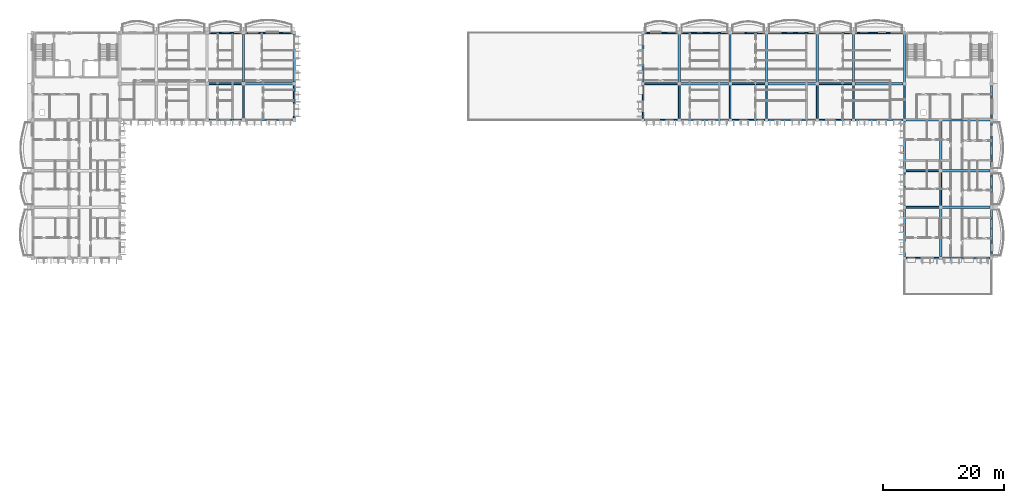
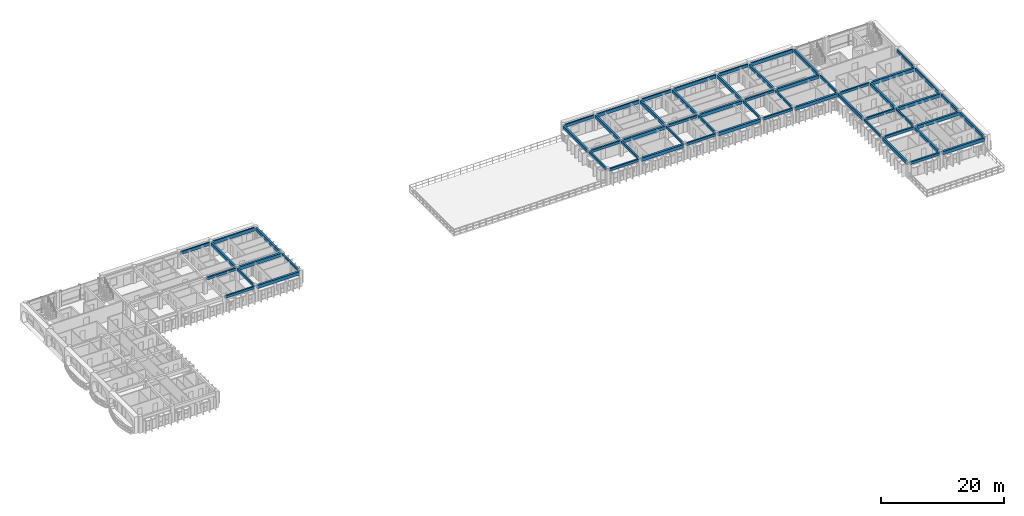
# One storey, part 6 of 45: 60 beams.
"""IFC4 building model written with IfcOpenShell, lengths in metres."""

from ifc_helpers import new_model, si_unit, direction, frame, origin, origin_2d, place, context, subcontext, project, spatial, rectangle, extrude, material, material_profile, profile_set, type_object, element, save


model = new_model("IFC4")

# Units and contexts
model_context = context("Model", 3, precision=1e-05, world=origin(), true_north=direction((0.0, 1.0)))
body_context = subcontext(model_context, "Body", "Model", "MODEL_VIEW")
ifc_project = project(units=[si_unit("LENGTHUNIT", "METRE"), si_unit("AREAUNIT", "SQUARE_METRE"), si_unit("VOLUMEUNIT", "CUBIC_METRE"), si_unit("PLANEANGLEUNIT", "RADIAN"), si_unit("MASSUNIT", "GRAM", prefix="KILO"), si_unit("THERMODYNAMICTEMPERATUREUNIT", "KELVIN")], contexts=[model_context])

# Site, building, storey
site_placement = place(None, origin())
site = spatial("IfcSite", under=ifc_project, at=site_placement, CompositionType="ELEMENT")
building_placement = place(site_placement, origin())
building = spatial("IfcBuilding", under=site, at=building_placement, Name="Thalorik Housing Commons", CompositionType="ELEMENT")
storey_placement = place(building_placement, frame((0.0, 0.0, 34.5)))
storey = spatial("IfcBuildingStorey", under=building, at=storey_placement, Name="L10", CompositionType="ELEMENT", Elevation=34.5)

# Beams
ifc_material = material(Name="Precast concrete C40/50", Category="concrete")
ifc_material_profile_1 = material_profile(ifc_material, rectangle(XDim=0.280029296875, YDim=0.449951171875, at=origin_2d()), Name="PC 280x450", Category="concrete")
ifc_profile_set_1 = profile_set([ifc_material_profile_1], Name="Precast concrete C40/50")
beam_type_1 = type_object("IfcBeamType", Name="STR-BM-PC280x450", PredefinedType="BEAM", material=ifc_profile_set_1)
for number, where, z_axis, x_axis, name in (
    (1, (43.199951171875, 109.449951171875, 2.81494140625), (0.0, 1.0, 0.0), (-1.0, 0.0, 0.0), "L10 Beam B-450"),
    (2, (51.60009765625, 109.449951171875, 2.81494140625), (0.0, 1.0, 0.0), (-1.0, 0.0, 0.0), "L10 Beam B-450"),
):
    element("IfcBeam", number, at=place(storey_placement, frame(where, z_axis=z_axis, x_axis=x_axis)), inside=storey, type_object=beam_type_1, Name=name, PredefinedType="BEAM", context=body_context, shape_type="SweptSolid", body=[
        extrude(rectangle(XDim=0.280029296875, YDim=0.449951171875, at=origin_2d()), origin(), (0.0, 0.0, 1.0), 5.5),
    ])
for number, where, z_axis, x_axis, name in (
    (3, (109.199951171875, 109.425048828125, 2.81494140625), (0.0, 1.0, 0.0), (-1.0, 0.0, 0.0), "L10 Beam B-450"),
    (4, (115.199951171875, 109.425048828125, 2.81494140625), (0.0, 1.0, 0.0), (-1.0, 0.0, 0.0), "L10 Beam B-450"),
    (5, (123.60009765625, 109.425048828125, 2.81494140625), (0.0, 1.0, 0.0), (-1.0, 0.0, 0.0), "L10 Beam B-450"),
    (6, (129.60009765625, 109.425048828125, 2.81494140625), (0.0, 1.0, 0.0), (-1.0, 0.0, 0.0), "L10 Beam B-450"),
    (7, (138.0, 109.425048828125, 2.81494140625), (0.0, 1.0, 0.0), (-1.0, 0.0, 0.0), "L10 Beam B-450"),
    (8, (144.0, 109.425048828125, 2.81494140625), (0.0, 1.0, 0.0), (-1.0, 0.0, 0.0), "L10 Beam B-450"),
    (9, (152.39990234375, 95.02490234375, 2.81494140625), (0.0, 1.0, 0.0), (-1.0, 0.0, 0.0), "L10 Beam B-450"),
    (10, (152.39990234375, 109.425048828125, 2.81494140625), (0.0, 1.0, 0.0), (-1.0, 0.0, 0.0), "L10 Beam B-450"),
    (11, (158.39990234375, 95.02490234375, 2.81494140625), (0.0, 1.0, 0.0), (-1.0, 0.0, 0.0), "L10 Beam B-450"),
):
    element("IfcBeam", number, at=place(storey_placement, frame(where, z_axis=z_axis, x_axis=x_axis)), inside=storey, type_object=beam_type_1, Name=name, PredefinedType="BEAM", context=body_context, shape_type="SweptSolid", body=[
        extrude(rectangle(XDim=0.280029296875, YDim=0.449951171875, at=origin_2d()), origin(), (0.0, 0.0, 1.0), 5.550048828125),
    ])
ifc_material_profile_2 = material_profile(ifc_material, rectangle(XDim=0.300048828125, YDim=0.5, at=origin_2d()), Name="PC 300x500", Category="concrete")
ifc_profile_set_2 = profile_set([ifc_material_profile_2], Name="Precast concrete C40/50")
beam_type_2 = type_object("IfcBeamType", Name="STR-BM-PC300x500", PredefinedType="BEAM", material=ifc_profile_set_2)
for number, where, z_axis, x_axis, name in (
    (12, (152.625, 86.39990234375, 2.7900390625), (1.0, 0.0, 0.0), (0.0, 1.0, 0.0), "L10 Beam B-500"),
    (13, (152.625, 94.800048828125, 2.7900390625), (1.0, 0.0, 0.0), (0.0, 1.0, 0.0), "L10 Beam B-500"),
    (14, (152.625, 100.800048828125, 2.7900390625), (1.0, 0.0, 0.0), (0.0, 1.0, 0.0), "L10 Beam B-500"),
):
    element("IfcBeam", number, at=place(storey_placement, frame(where, z_axis=z_axis, x_axis=x_axis)), inside=storey, type_object=beam_type_2, Name=name, PredefinedType="BEAM", context=body_context, shape_type="SweptSolid", body=[
        extrude(rectangle(XDim=0.300048828125, YDim=0.5, at=origin_2d()), origin(), (0.0, 0.0, 1.0), 5.550048828125),
    ])
beam_1_placement = place(storey_placement, frame((37.449951171875, 109.199951171875, 2.7900390625), z_axis=(1.0, 0.0, 0.0), x_axis=(0.0, 1.0, 0.0)))
element("IfcBeam", 15, at=beam_1_placement, inside=storey, type_object=beam_type_2, Name="L10 Beam B-500", PredefinedType="BEAM", context=body_context, shape_type="SweptSolid", body=[
    extrude(rectangle(XDim=0.300048828125, YDim=0.5, at=origin_2d()), origin(), (0.0, 0.0, 1.0), 5.5),
])
for number, where, z_axis, x_axis, name in (
    (16, (109.425048828125, 109.199951171875, 2.7900390625), (1.0, 0.0, 0.0), (0.0, 1.0, 0.0), "L10 Beam B-500"),
    (17, (123.824951171875, 109.199951171875, 2.7900390625), (1.0, 0.0, 0.0), (0.0, 1.0, 0.0), "L10 Beam B-500"),
):
    element("IfcBeam", number, at=place(storey_placement, frame(where, z_axis=z_axis, x_axis=x_axis)), inside=storey, type_object=beam_type_2, Name=name, PredefinedType="BEAM", context=body_context, shape_type="SweptSolid", body=[
        extrude(rectangle(XDim=0.300048828125, YDim=0.5, at=origin_2d()), origin(), (0.0, 0.0, 1.0), 5.550048828125),
    ])
beam_2_placement = place(storey_placement, frame((138.22509765625, 109.199951171875, 2.7900390625), z_axis=(1.0, 0.0, 0.0), x_axis=(0.0, 1.0, 0.0)))
element("IfcBeam", 18, at=beam_2_placement, inside=storey, type_object=beam_type_2, Name="L10 Beam B-500", PredefinedType="BEAM", context=body_context, shape_type="SweptSolid", body=[
    extrude(rectangle(XDim=0.300048828125, YDim=0.5, at=origin_2d()), origin(), (0.0, 0.0, 1.0), 5.5498046875),
])
beam_3_placement = place(storey_placement, frame((152.625, 109.199951171875, 2.7900390625), z_axis=(1.0, 0.0, 0.0), x_axis=(0.0, 1.0, 0.0)))
element("IfcBeam", 19, at=beam_3_placement, inside=storey, type_object=beam_type_2, Name="L10 Beam B-500", PredefinedType="BEAM", context=body_context, shape_type="SweptSolid", body=[
    extrude(rectangle(XDim=0.300048828125, YDim=0.5, at=origin_2d()), origin(), (0.0, 0.0, 1.0), 5.550048828125),
])
beam_4_placement = place(storey_placement, frame((37.449951171875, 115.199951171875, 2.7900390625), z_axis=(1.0, 0.0, 0.0), x_axis=(0.0, 1.0, 0.0)))
element("IfcBeam", 20, at=beam_4_placement, inside=storey, type_object=beam_type_2, Name="L10 Beam B-500", PredefinedType="BEAM", context=body_context, shape_type="SweptSolid", body=[
    extrude(rectangle(XDim=0.300048828125, YDim=0.5, at=origin_2d()), origin(), (0.0, 0.0, 1.0), 5.5),
])
for number, where, z_axis, x_axis, name in (
    (21, (109.425048828125, 115.199951171875, 2.7900390625), (1.0, 0.0, 0.0), (0.0, 1.0, 0.0), "L10 Beam B-500"),
    (22, (123.824951171875, 115.199951171875, 2.7900390625), (1.0, 0.0, 0.0), (0.0, 1.0, 0.0), "L10 Beam B-500"),
):
    element("IfcBeam", number, at=place(storey_placement, frame(where, z_axis=z_axis, x_axis=x_axis)), inside=storey, type_object=beam_type_2, Name=name, PredefinedType="BEAM", context=body_context, shape_type="SweptSolid", body=[
        extrude(rectangle(XDim=0.300048828125, YDim=0.5, at=origin_2d()), origin(), (0.0, 0.0, 1.0), 5.550048828125),
    ])
beam_5_placement = place(storey_placement, frame((138.22509765625, 115.199951171875, 2.7900390625), z_axis=(1.0, 0.0, 0.0), x_axis=(0.0, 1.0, 0.0)))
element("IfcBeam", 23, at=beam_5_placement, inside=storey, type_object=beam_type_2, Name="L10 Beam B-500", PredefinedType="BEAM", context=body_context, shape_type="SweptSolid", body=[
    extrude(rectangle(XDim=0.300048828125, YDim=0.5, at=origin_2d()), origin(), (0.0, 0.0, 1.0), 5.5498046875),
])
ifc_material_profile_3 = material_profile(ifc_material, rectangle(XDim=0.35009765625, YDim=0.60009765625, at=origin_2d()), Name="PC 350x600", Category="concrete")
ifc_profile_set_3 = profile_set([ifc_material_profile_3], Name="Precast concrete C40/50")
beam_type_3 = type_object("IfcBeamType", Name="STR-BM-PC350x600", PredefinedType="BEAM", material=ifc_profile_set_3)
for number, where, z_axis, x_axis, name in (
    (24, (43.199951171875, 115.449951171875, 2.739990234375), (0.0, 1.0, 0.0), (-1.0, 0.0, 0.0), "L10 Beam B-600"),
    (25, (51.60009765625, 115.449951171875, 2.739990234375), (0.0, 1.0, 0.0), (-1.0, 0.0, 0.0), "L10 Beam B-600"),
):
    element("IfcBeam", number, at=place(storey_placement, frame(where, z_axis=z_axis, x_axis=x_axis)), inside=storey, type_object=beam_type_3, Name=name, PredefinedType="BEAM", context=body_context, shape_type="SweptSolid", body=[
        extrude(rectangle(XDim=0.35009765625, YDim=0.60009765625, at=origin_2d()), origin(), (0.0, 0.0, 1.0), 7.900146484375),
    ])
for number, where, z_axis, x_axis, name in (
    (26, (109.199951171875, 115.425048828125, 2.739990234375), (0.0, 1.0, 0.0), (-1.0, 0.0, 0.0), "L10 Beam B-600"),
    (27, (115.199951171875, 115.425048828125, 2.739990234375), (0.0, 1.0, 0.0), (-1.0, 0.0, 0.0), "L10 Beam B-600"),
    (28, (123.60009765625, 115.425048828125, 2.739990234375), (0.0, 1.0, 0.0), (-1.0, 0.0, 0.0), "L10 Beam B-600"),
    (29, (129.60009765625, 115.425048828125, 2.739990234375), (0.0, 1.0, 0.0), (-1.0, 0.0, 0.0), "L10 Beam B-600"),
    (30, (138.0, 115.425048828125, 2.739990234375), (0.0, 1.0, 0.0), (-1.0, 0.0, 0.0), "L10 Beam B-600"),
    (31, (144.0, 115.425048828125, 2.739990234375), (0.0, 1.0, 0.0), (-1.0, 0.0, 0.0), "L10 Beam B-600"),
    (32, (152.39990234375, 86.625, 2.739990234375), (0.0, 1.0, 0.0), (-1.0, 0.0, 0.0), "L10 Beam B-600"),
):
    element("IfcBeam", number, at=place(storey_placement, frame(where, z_axis=z_axis, x_axis=x_axis)), inside=storey, type_object=beam_type_3, Name=name, PredefinedType="BEAM", context=body_context, shape_type="SweptSolid", body=[
        extrude(rectangle(XDim=0.35009765625, YDim=0.60009765625, at=origin_2d()), origin(), (0.0, 0.0, 1.0), 7.949951171875),
    ])
beam_6_placement = place(storey_placement, frame((152.39990234375, 101.02490234375, 2.739990234375), z_axis=(0.0, 1.0, 0.0), x_axis=(-1.0, 0.0, 0.0)))
element("IfcBeam", 33, at=beam_6_placement, inside=storey, type_object=beam_type_3, Name="L10 Beam B-600", PredefinedType="BEAM", context=body_context, shape_type="SweptSolid", body=[
    extrude(rectangle(XDim=0.35009765625, YDim=0.60009765625, at=origin_2d()), origin(), (0.0, 0.0, 1.0), 7.9501953125),
])
for number, where, z_axis, x_axis, name in (
    (34, (152.39990234375, 115.425048828125, 2.739990234375), (0.0, 1.0, 0.0), (-1.0, 0.0, 0.0), "L10 Beam B-600"),
    (35, (158.39990234375, 86.625, 2.739990234375), (0.0, 1.0, 0.0), (-1.0, 0.0, 0.0), "L10 Beam B-600"),
):
    element("IfcBeam", number, at=place(storey_placement, frame(where, z_axis=z_axis, x_axis=x_axis)), inside=storey, type_object=beam_type_3, Name=name, PredefinedType="BEAM", context=body_context, shape_type="SweptSolid", body=[
        extrude(rectangle(XDim=0.35009765625, YDim=0.60009765625, at=origin_2d()), origin(), (0.0, 0.0, 1.0), 7.949951171875),
    ])
beam_7_placement = place(storey_placement, frame((158.39990234375, 101.02490234375, 2.739990234375), z_axis=(0.0, 1.0, 0.0), x_axis=(-1.0, 0.0, 0.0)))
element("IfcBeam", 36, at=beam_7_placement, inside=storey, type_object=beam_type_3, Name="L10 Beam B-600", PredefinedType="BEAM", context=body_context, shape_type="SweptSolid", body=[
    extrude(rectangle(XDim=0.35009765625, YDim=0.60009765625, at=origin_2d()), origin(), (0.0, 0.0, 1.0), 7.9501953125),
])
ifc_material_profile_4 = material_profile(ifc_material, rectangle(XDim=0.3798828125, YDim=0.64990234375, at=origin_2d()), Name="PC 380x650", Category="concrete")
ifc_profile_set_4 = profile_set([ifc_material_profile_4], Name="Precast concrete C40/50")
beam_type_4 = type_object("IfcBeamType", Name="STR-BM-PC380x650", PredefinedType="BEAM", material=ifc_profile_set_4)
for number, where, z_axis, x_axis, name in (
    (37, (158.625, 86.39990234375, 2.715087890625), (1.0, 0.0, 0.0), (0.0, 1.0, 0.0), "L10 Beam B-650"),
    (38, (158.625, 94.800048828125, 2.715087890625), (1.0, 0.0, 0.0), (0.0, 1.0, 0.0), "L10 Beam B-650"),
    (39, (158.625, 100.800048828125, 2.715087890625), (1.0, 0.0, 0.0), (0.0, 1.0, 0.0), "L10 Beam B-650"),
):
    element("IfcBeam", number, at=place(storey_placement, frame(where, z_axis=z_axis, x_axis=x_axis)), inside=storey, type_object=beam_type_4, Name=name, PredefinedType="BEAM", context=body_context, shape_type="SweptSolid", body=[
        extrude(rectangle(XDim=0.3798828125, YDim=0.64990234375, at=origin_2d()), origin(), (0.0, 0.0, 1.0), 7.949951171875),
    ])
beam_8_placement = place(storey_placement, frame((43.449951171875, 109.199951171875, 2.715087890625), z_axis=(1.0, 0.0, 0.0), x_axis=(0.0, 1.0, 0.0)))
element("IfcBeam", 40, at=beam_8_placement, inside=storey, type_object=beam_type_4, Name="L10 Beam B-650", PredefinedType="BEAM", context=body_context, shape_type="SweptSolid", body=[
    extrude(rectangle(XDim=0.3798828125, YDim=0.64990234375, at=origin_2d()), origin(), (0.0, 0.0, 1.0), 7.900146484375),
])
for number, where, z_axis, x_axis, name in (
    (41, (115.425048828125, 109.199951171875, 2.715087890625), (1.0, 0.0, 0.0), (0.0, 1.0, 0.0), "L10 Beam B-650"),
    (42, (129.824951171875, 109.199951171875, 2.715087890625), (1.0, 0.0, 0.0), (0.0, 1.0, 0.0), "L10 Beam B-650"),
    (43, (144.22509765625, 109.199951171875, 2.715087890625), (1.0, 0.0, 0.0), (0.0, 1.0, 0.0), "L10 Beam B-650"),
    (44, (158.625, 109.199951171875, 2.715087890625), (1.0, 0.0, 0.0), (0.0, 1.0, 0.0), "L10 Beam B-650"),
):
    element("IfcBeam", number, at=place(storey_placement, frame(where, z_axis=z_axis, x_axis=x_axis)), inside=storey, type_object=beam_type_4, Name=name, PredefinedType="BEAM", context=body_context, shape_type="SweptSolid", body=[
        extrude(rectangle(XDim=0.3798828125, YDim=0.64990234375, at=origin_2d()), origin(), (0.0, 0.0, 1.0), 7.949951171875),
    ])
beam_9_placement = place(storey_placement, frame((43.449951171875, 115.199951171875, 2.715087890625), z_axis=(1.0, 0.0, 0.0), x_axis=(0.0, 1.0, 0.0)))
element("IfcBeam", 45, at=beam_9_placement, inside=storey, type_object=beam_type_4, Name="L10 Beam B-650", PredefinedType="BEAM", context=body_context, shape_type="SweptSolid", body=[
    extrude(rectangle(XDim=0.3798828125, YDim=0.64990234375, at=origin_2d()), origin(), (0.0, 0.0, 1.0), 7.900146484375),
])
for number, where, z_axis, x_axis, name in (
    (46, (115.425048828125, 115.199951171875, 2.715087890625), (1.0, 0.0, 0.0), (0.0, 1.0, 0.0), "L10 Beam B-650"),
    (47, (129.824951171875, 115.199951171875, 2.715087890625), (1.0, 0.0, 0.0), (0.0, 1.0, 0.0), "L10 Beam B-650"),
    (48, (144.22509765625, 115.199951171875, 2.715087890625), (1.0, 0.0, 0.0), (0.0, 1.0, 0.0), "L10 Beam B-650"),
):
    element("IfcBeam", number, at=place(storey_placement, frame(where, z_axis=z_axis, x_axis=x_axis)), inside=storey, type_object=beam_type_4, Name=name, PredefinedType="BEAM", context=body_context, shape_type="SweptSolid", body=[
        extrude(rectangle(XDim=0.3798828125, YDim=0.64990234375, at=origin_2d()), origin(), (0.0, 0.0, 1.0), 7.949951171875),
    ])
ifc_material_profile_5 = material_profile(ifc_material, rectangle(XDim=0.239990234375, YDim=0.580078125, at=origin_2d()), Name="PC SP 240x580", Category="concrete")
ifc_profile_set_5 = profile_set([ifc_material_profile_5], Name="Precast concrete C40/50")
beam_type_5 = type_object("IfcBeamType", Name="STR-SP-PC240x580", PredefinedType="SPANDREL", material=ifc_profile_set_5)
beam_10_placement = place(storey_placement, frame((37.449951171875, 123.60009765625, 2.75), z_axis=(1.0, 0.0, 0.0), x_axis=(0.0, 1.0, 0.0)))
element("IfcBeam", 49, at=beam_10_placement, inside=storey, type_object=beam_type_5, Name="L10 Beam B-500", PredefinedType="SPANDREL", context=body_context, shape_type="SweptSolid", body=[
    extrude(rectangle(XDim=0.239990234375, YDim=0.580078125, at=origin_2d()), origin(), (0.0, 0.0, 1.0), 5.5),
])
for number, where, z_axis, x_axis, name in (
    (50, (109.425048828125, 123.60009765625, 2.75), (1.0, 0.0, 0.0), (0.0, 1.0, 0.0), "L10 Beam B-500"),
    (51, (123.824951171875, 123.60009765625, 2.75), (1.0, 0.0, 0.0), (0.0, 1.0, 0.0), "L10 Beam B-500"),
):
    element("IfcBeam", number, at=place(storey_placement, frame(where, z_axis=z_axis, x_axis=x_axis)), inside=storey, type_object=beam_type_5, Name=name, PredefinedType="SPANDREL", context=body_context, shape_type="SweptSolid", body=[
        extrude(rectangle(XDim=0.239990234375, YDim=0.580078125, at=origin_2d()), origin(), (0.0, 0.0, 1.0), 5.550048828125),
    ])
beam_11_placement = place(storey_placement, frame((138.22509765625, 123.60009765625, 2.75), z_axis=(1.0, 0.0, 0.0), x_axis=(0.0, 1.0, 0.0)))
element("IfcBeam", 52, at=beam_11_placement, inside=storey, type_object=beam_type_5, Name="L10 Beam B-500", PredefinedType="SPANDREL", context=body_context, shape_type="SweptSolid", body=[
    extrude(rectangle(XDim=0.239990234375, YDim=0.580078125, at=origin_2d()), origin(), (0.0, 0.0, 1.0), 5.5498046875),
])
for number, where, z_axis, x_axis, name in (
    (53, (166.800048828125, 95.02490234375, 2.75), (0.0, 1.0, 0.0), (-1.0, 0.0, 0.0), "L10 Beam B-450"),
    (54, (166.800048828125, 109.425048828125, 2.75), (0.0, 1.0, 0.0), (-1.0, 0.0, 0.0), "L10 Beam B-450"),
):
    element("IfcBeam", number, at=place(storey_placement, frame(where, z_axis=z_axis, x_axis=x_axis)), inside=storey, type_object=beam_type_5, Name=name, PredefinedType="SPANDREL", context=body_context, shape_type="SweptSolid", body=[
        extrude(rectangle(XDim=0.239990234375, YDim=0.580078125, at=origin_2d()), origin(), (0.0, 0.0, 1.0), 5.550048828125),
    ])
ifc_material_profile_6 = material_profile(ifc_material, rectangle(XDim=0.260009765625, YDim=0.679931640625, at=origin_2d()), Name="PC SP 260x680", Category="concrete")
ifc_profile_set_6 = profile_set([ifc_material_profile_6], Name="Precast concrete C40/50")
beam_type_6 = type_object("IfcBeamType", Name="STR-SP-PC260x680", PredefinedType="SPANDREL", material=ifc_profile_set_6)
beam_12_placement = place(storey_placement, frame((43.449951171875, 123.60009765625, 2.699951171875), z_axis=(1.0, 0.0, 0.0), x_axis=(0.0, 1.0, 0.0)))
element("IfcBeam", 55, at=beam_12_placement, inside=storey, type_object=beam_type_6, Name="L10 Beam B-650", PredefinedType="SPANDREL", context=body_context, shape_type="SweptSolid", body=[
    extrude(rectangle(XDim=0.260009765625, YDim=0.679931640625, at=origin_2d()), origin(), (0.0, 0.0, 1.0), 7.900146484375),
])
for number, where, z_axis, x_axis, name in (
    (56, (115.425048828125, 123.60009765625, 2.699951171875), (1.0, 0.0, 0.0), (0.0, 1.0, 0.0), "L10 Beam B-650"),
    (57, (129.824951171875, 123.60009765625, 2.699951171875), (1.0, 0.0, 0.0), (0.0, 1.0, 0.0), "L10 Beam B-650"),
    (58, (144.22509765625, 123.60009765625, 2.699951171875), (1.0, 0.0, 0.0), (0.0, 1.0, 0.0), "L10 Beam B-650"),
    (59, (166.800048828125, 86.625, 2.699951171875), (0.0, 1.0, 0.0), (-1.0, 0.0, 0.0), "L10 Beam B-600"),
):
    element("IfcBeam", number, at=place(storey_placement, frame(where, z_axis=z_axis, x_axis=x_axis)), inside=storey, type_object=beam_type_6, Name=name, PredefinedType="SPANDREL", context=body_context, shape_type="SweptSolid", body=[
        extrude(rectangle(XDim=0.260009765625, YDim=0.679931640625, at=origin_2d()), origin(), (0.0, 0.0, 1.0), 7.949951171875),
    ])
beam_13_placement = place(storey_placement, frame((166.800048828125, 101.02490234375, 2.699951171875), z_axis=(0.0, 1.0, 0.0), x_axis=(-1.0, 0.0, 0.0)))
element("IfcBeam", 60, at=beam_13_placement, inside=storey, type_object=beam_type_6, Name="L10 Beam B-600", PredefinedType="SPANDREL", context=body_context, shape_type="SweptSolid", body=[
    extrude(rectangle(XDim=0.260009765625, YDim=0.679931640625, at=origin_2d()), origin(), (0.0, 0.0, 1.0), 7.9501953125),
])

save(model, "model.ifc")
